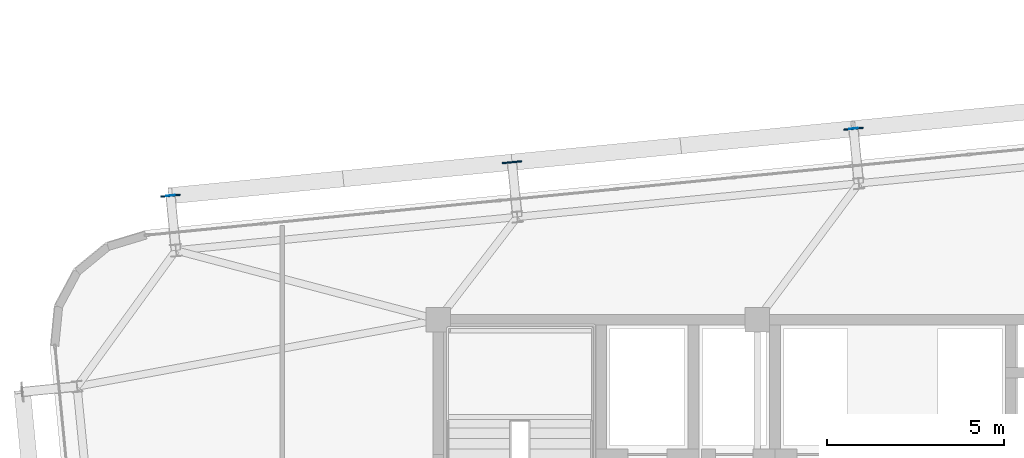
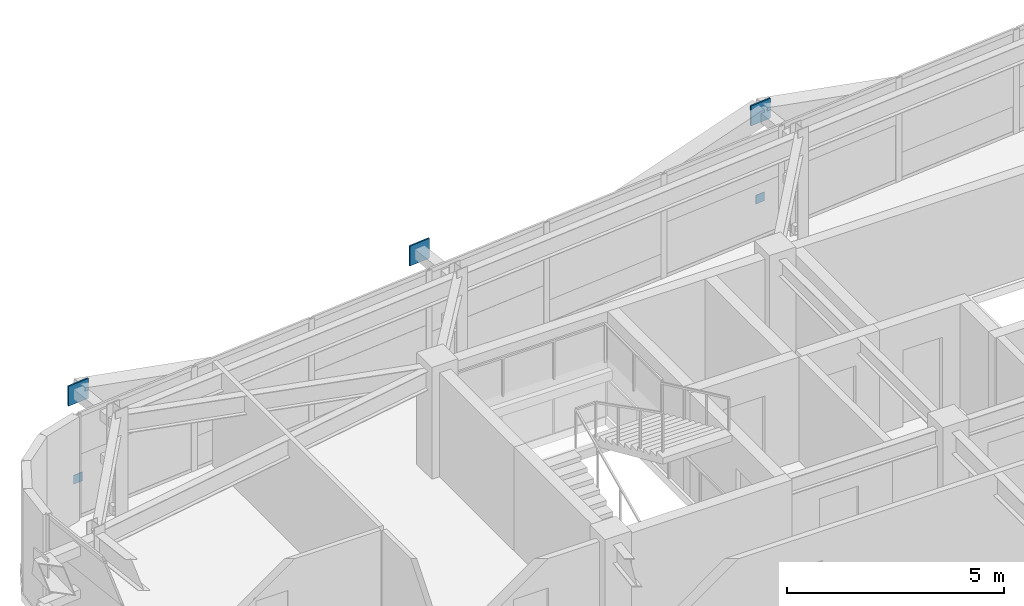
# One storey, part 43 of 54: 5 plates.
"""IFC4 building model written with IfcOpenShell, lengths in metres."""

from ifc_helpers import new_model, si_unit, direction, frame, origin, origin_2d, place, context, subcontext, project, spatial, rectangle, extrude, source, transform, mapped, material, layer, layer_set, type_object, element, save


model = new_model("IFC4")

# Units and contexts
model_context = context("Model", 3, precision=1e-05, world=origin(), true_north=direction((0.0, 1.0)))
body_context = subcontext(model_context, "Body", "Model", "MODEL_VIEW")
ifc_project = project(units=[si_unit("LENGTHUNIT", "METRE"), si_unit("AREAUNIT", "SQUARE_METRE"), si_unit("VOLUMEUNIT", "CUBIC_METRE"), si_unit("PLANEANGLEUNIT", "RADIAN"), si_unit("MASSUNIT", "GRAM", prefix="KILO")], contexts=[model_context])

# Site, building, storey
site_placement = place(None, origin())
site = spatial("IfcSite", under=ifc_project, at=site_placement, CompositionType="ELEMENT")
building_placement = place(site_placement, origin())
building = spatial("IfcBuilding", under=site, at=building_placement, Name="Taldren Reach Tower", CompositionType="ELEMENT")
storey_placement = place(building_placement, frame((0.0, 0.0, 102.89990234375)))
storey = spatial("IfcBuildingStorey", under=building, at=storey_placement, Name="L31", CompositionType="ELEMENT", Elevation=102.89990234375)

# Plates
ifc_material_1 = material(Name="Steel Gr 450 (C450L0)", Category="steel")
ifc_layer_1 = layer(ifc_material_1, 0.0400390625)
ifc_layer_set_1 = layer_set([ifc_layer_1], Name="Steel Gr 450 (C450L0)")
plate_type_1 = type_object("IfcPlateType", Name="PL-GUSSET-40", PredefinedType="SHEET", material=ifc_layer_set_1)
shared_shape_1 = source(origin(), body_context, "Body", "SweptSolid", [
    extrude(rectangle(XDim=0.56005859375, YDim=0.0400390625, at=origin_2d()), origin(), (0.0, 0.0, 1.0), 0.56005859375),
])
for number, where, z_axis, x_axis, name in (
    (1, (11.445556640625, 35.49951171875, 2.3701171875), (0.0, 0.0, 1.0), (0.995227399982, 0.097582899759, 0.0), "Exoskeleton star-node gusset plate B2-N1 L31"),
    (2, (21.079345703125, 36.444091796875, 2.3701171875), (0.0, 0.0, 1.0), (0.995227399982, 0.097582899759, 0.0), "Exoskeleton star-node gusset plate B2-N2 L31"),
    (3, (30.713134765625, 37.388671875, 2.3701171875), (0.0, 0.0, 1.0), (0.995227399982, 0.097582899759, 0.0), "Exoskeleton star-node gusset plate B2-N3 L31"),
):
    element("IfcPlate", number, at=place(storey_placement, frame(where, z_axis=z_axis, x_axis=x_axis)), inside=storey, type_object=plate_type_1, Name=name, PredefinedType="SHEET", context=body_context, shape_type="MappedRepresentation", body=[
        mapped(shared_shape_1, transform((0.0, 0.0, 0.0), scale=1.0)),
    ])
ifc_material_2 = material(Name="Steel Gr 350 (C350L0)", Category="steel")
ifc_layer_2 = layer(ifc_material_2, 0.011962890625)
ifc_layer_set_2 = layer_set([ifc_layer_2], Name="Steel Gr 350 (C350L0)")
plate_type_2 = type_object("IfcPlateType", Name="PL-CAP-250", PredefinedType="SHEET", material=ifc_layer_set_2)
shared_shape_2 = source(origin(), body_context, "Body", "SweptSolid", [
    extrude(rectangle(XDim=0.25, YDim=0.011962890625, at=origin_2d()), origin(), (0.0, 0.0, 1.0), 0.25),
])
for number, where, z_axis, x_axis, name in (
    (4, (11.445068359375, 35.50537109375, 0.09521484375), (0.0, 0.0, 1.0), (0.995227399982, 0.097582899759, 0.0), "Tie strut end cap plate B2-N1 L31"),
    (5, (30.712646484375, 37.394775390625, 0.09521484375), (0.0, 0.0, 1.0), (0.995227399982, 0.097582899759, 0.0), "Tie strut end cap plate B2-N3 L31"),
):
    element("IfcPlate", number, at=place(storey_placement, frame(where, z_axis=z_axis, x_axis=x_axis)), inside=storey, type_object=plate_type_2, Name=name, PredefinedType="SHEET", context=body_context, shape_type="MappedRepresentation", body=[
        mapped(shared_shape_2, transform((0.0, 0.0, 0.0), scale=1.0)),
    ])

save(model, "model.ifc")
